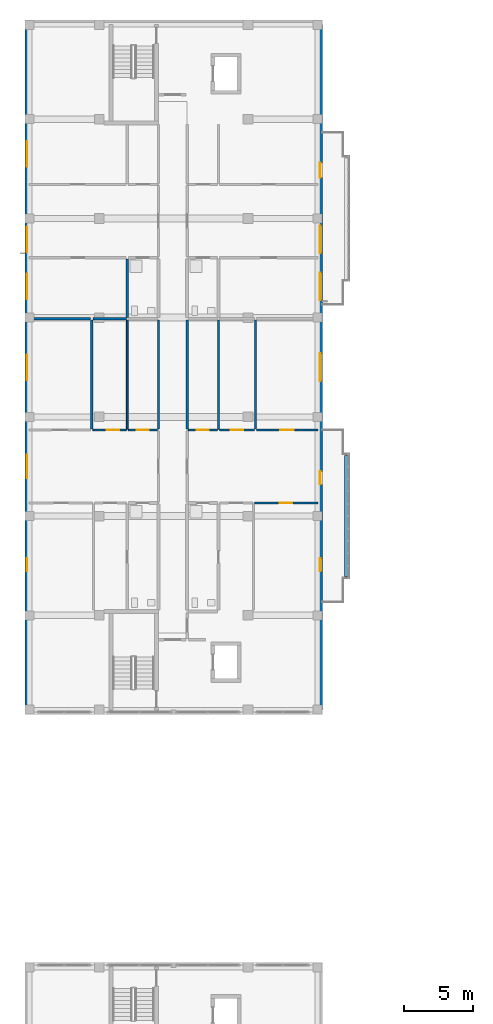
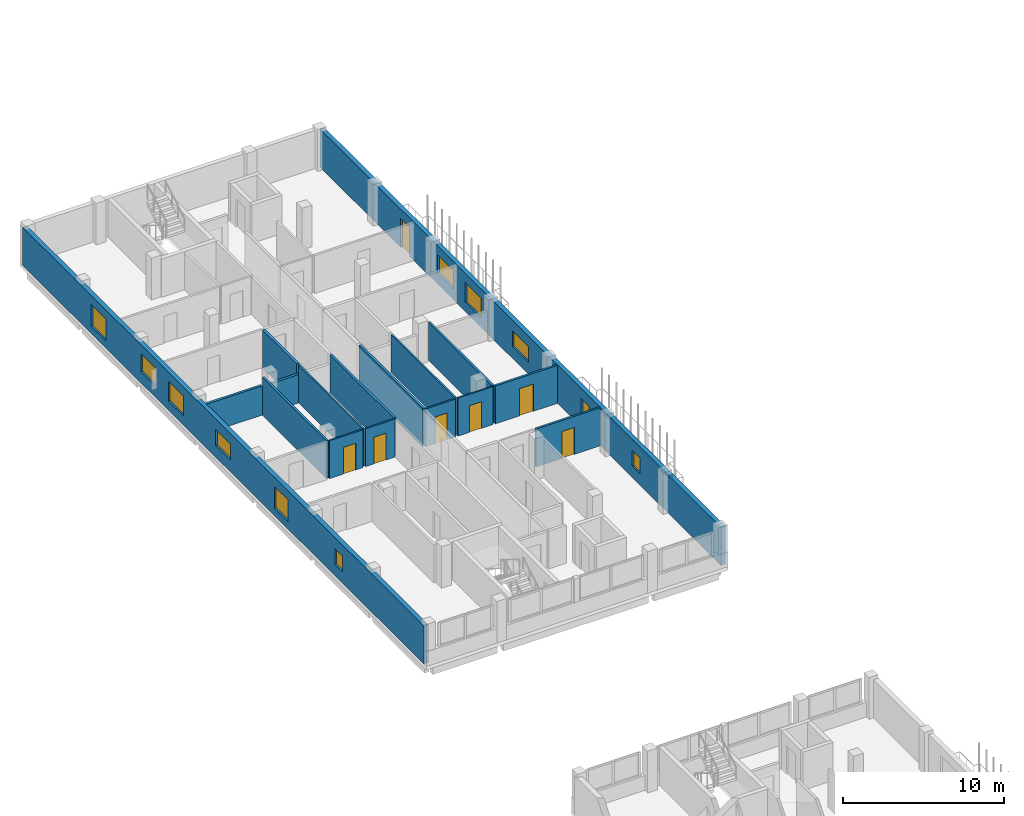
# One storey, part 28 of 51: 18 walls, 10 windows, 8 doors, 18 openings.
"""IFC4 building model written with IfcOpenShell, lengths in metres."""

from ifc_helpers import new_model, si_unit, derived_unit, direction, frame, frame_2d, origin, place, context, subcontext, project, spatial, rectangle, extrude, material, layer, layer_set, type_object, element, fill, save


model = new_model("IFC4")

# Units and contexts
model_context = context("Model", 3, precision=1e-05, world=origin(), true_north=direction((0.0, 1.0)))
body_context = subcontext(model_context, "Body", "Model", "MODEL_VIEW")
ifc_project = project(units=[si_unit("LENGTHUNIT", "METRE"), si_unit("AREAUNIT", "SQUARE_METRE"), si_unit("VOLUMEUNIT", "CUBIC_METRE"), si_unit("PLANEANGLEUNIT", "RADIAN"), si_unit("MASSUNIT", "GRAM", prefix="KILO"), derived_unit("THERMALTRANSMITTANCEUNIT", [(si_unit("MASSUNIT", "GRAM", prefix="KILO"), 1), (si_unit("TIMEUNIT", "SECOND"), -3), (si_unit("THERMODYNAMICTEMPERATUREUNIT", "KELVIN"), -1)])], contexts=[model_context])

# Site, building, storey
site_placement = place(None, origin())
site = spatial("IfcSite", under=ifc_project, at=site_placement, CompositionType="ELEMENT")
building_placement = place(site_placement, origin())
building = spatial("IfcBuilding", under=site, at=building_placement, Name="Ochrekiln Boulevard Commons", CompositionType="ELEMENT")
storey_placement = place(building_placement, frame((0.0, 0.0, 15.22509765625)))
storey = spatial("IfcBuildingStorey", under=building, at=storey_placement, Name="L04", CompositionType="ELEMENT", Elevation=15.22509765625)

# Wall, openings, windows
ifc_material_1 = material(Name="Desert ochre clinker brick masonry ASTM C216 Grade SW", Category="masonry")
ifc_layer_1 = layer(ifc_material_1, 0.320068359375)
ifc_layer_set_1 = layer_set([ifc_layer_1], Name="Desert ochre clinker brick masonry ASTM C216 Grade SW")
wall_type_1 = type_object("IfcWallType", Name="WL-EXT-OCHRE-320", PredefinedType="SOLIDWALL", material=ifc_layer_set_1)
wall_1_placement = place(storey_placement, frame((0.159912109375, 68.719970703125, 0.0), z_axis=(0.0, 0.0, 1.0), x_axis=(0.0, 1.0, 0.0)))
wall_1 = element("IfcWall", 1, at=wall_1_placement, inside=storey, type_object=wall_type_1, Name="Block A L04 W Exterior Wall", PredefinedType="SOLIDWALL", context=body_context, shape_type="SweptSolid", body=[
    extrude(rectangle(XDim=49.760009765625, YDim=0.320068359375, at=frame_2d((24.8798828125, 0.0))), origin(), (0.0, 0.0, 1.0), 2.889892578125),
])
opening_1_placement = place(wall_1_placement, frame((16.820068359375, 0.0, 0.554931640625)))
opening_1 = element("IfcOpeningElement", 2, at=opening_1_placement, cuts=wall_1, Name="Opening W-39", PredefinedType="OPENING", context=body_context, shape_type="SweptSolid", body=[
    extrude(rectangle(XDim=1.719970703125, YDim=1.64990234375, at=frame_2d((0.85986328125, 0.824951171875))), frame((0.0, 0.169921875, 0.0), z_axis=(0.0, -1.0, 0.0), x_axis=(1.0, 0.0, 0.0)), (0.0, 0.0, 1.0), 0.340087890625),
])
opening_2_placement = place(wall_1_placement, frame((10.070068359375, 0.0, 0.85009765625)))
opening_2 = element("IfcOpeningElement", 3, at=opening_2_placement, cuts=wall_1, Name="Opening W-01", PredefinedType="OPENING", context=body_context, shape_type="SweptSolid", body=[
    extrude(rectangle(XDim=0.949951171875, YDim=1.199951171875, at=frame_2d((0.47509765625, 0.60009765625))), frame((0.0, 0.169921875, 0.0), z_axis=(0.0, -1.0, 0.0), x_axis=(1.0, 0.0, 0.0)), (0.0, 0.0, 1.0), 0.340087890625),
])
opening_3_placement = place(wall_1_placement, frame((23.955078125, 0.0, 0.89990234375)))
opening_3 = element("IfcOpeningElement", 4, at=opening_3_placement, cuts=wall_1, Name="Opening W-41", PredefinedType="OPENING", context=body_context, shape_type="SweptSolid", body=[
    extrude(rectangle(XDim=1.85009765625, YDim=1.199951171875, at=frame_2d((0.925048828125, 0.60009765625))), frame((0.0, 0.169921875, 0.0), z_axis=(0.0, -1.0, 0.0), x_axis=(1.0, 0.0, 0.0)), (0.0, 0.0, 1.0), 0.340087890625),
])
opening_4_placement = place(wall_1_placement, frame((33.23388671875, 0.0, 0.85498046875)))
opening_4 = element("IfcOpeningElement", 5, at=opening_4_placement, cuts=wall_1, Name="Opening W-42", PredefinedType="OPENING", context=body_context, shape_type="SweptSolid", body=[
    extrude(rectangle(XDim=1.85009765625, YDim=1.35009765625, at=frame_2d((0.925048828125, 0.675048828125))), frame((0.0, 0.169921875, 0.0), z_axis=(0.0, -1.0, 0.0), x_axis=(1.0, 0.0, 0.0)), (0.0, 0.0, 1.0), 0.340087890625),
])
opening_5_placement = place(wall_1_placement, frame((29.823974609375, 0.0, 0.705078125)))
opening_5 = element("IfcOpeningElement", 6, at=opening_5_placement, cuts=wall_1, Name="Opening W-43", PredefinedType="OPENING", context=body_context, shape_type="SweptSolid", body=[
    extrude(rectangle(XDim=1.85009765625, YDim=1.5, at=frame_2d((0.925048828125, 0.75))), frame((0.0, 0.169921875, 0.0), z_axis=(0.0, -1.0, 0.0), x_axis=(1.0, 0.0, 0.0)), (0.0, 0.0, 1.0), 0.340087890625),
])
opening_6_placement = place(wall_1_placement, frame((39.427001953125, 0.0, 0.554931640625)))
opening_6 = element("IfcOpeningElement", 7, at=opening_6_placement, cuts=wall_1, Name="Opening W-44", PredefinedType="OPENING", context=body_context, shape_type="SweptSolid", body=[
    extrude(rectangle(XDim=1.85009765625, YDim=1.64990234375, at=frame_2d((0.925048828125, 0.824951171875))), frame((0.0, 0.169921875, 0.0), z_axis=(0.0, -1.0, 0.0), x_axis=(1.0, 0.0, 0.0)), (0.0, 0.0, 1.0), 0.340087890625),
])
ifc_material_2 = material(Name="Thermally broken aluminium-clad oak frame", Category="aluminium")
window_type_1 = type_object("IfcWindowType", Name="WIN-EXT-01", PartitioningType="SINGLE_PANEL", PredefinedType="WINDOW", material=ifc_material_2)
window_1_placement = place(opening_2_placement, origin())
window_1 = element("IfcWindow", 8, at=window_1_placement, inside=storey, type_object=window_type_1, Name="Block A L04 Punched Masonry Window W-01", OverallHeight=1.199951171875, OverallWidth=0.949951171875, PartitioningType="SINGLE_PANEL", PredefinedType="WINDOW", context=body_context, shape_type="SweptSolid", body=[
    extrude(rectangle(XDim=0.949951171875, YDim=1.199951171875, at=frame_2d((0.47509765625, 0.60009765625))), frame((0.0, 0.030029296875, 0.0), z_axis=(0.0, -1.0, 0.0), x_axis=(1.0, 0.0, 0.0)), (0.0, 0.0, 1.0), 0.06005859375),
])
fill(opening_2, window_1)
window_type_2 = type_object("IfcWindowType", Name="WIN-EXT-39", PartitioningType="DOUBLE_PANEL_VERTICAL", PredefinedType="WINDOW", material=ifc_material_2)
window_2_placement = place(opening_1_placement, origin())
window_2 = element("IfcWindow", 9, at=window_2_placement, inside=storey, type_object=window_type_2, Name="Block A L04 Punched Masonry Window W-39", OverallHeight=1.64990234375, OverallWidth=1.719970703125, PartitioningType="DOUBLE_PANEL_VERTICAL", PredefinedType="WINDOW", context=body_context, shape_type="SweptSolid", body=[
    extrude(rectangle(XDim=1.719970703125, YDim=1.64990234375, at=frame_2d((0.85986328125, 0.824951171875))), frame((0.0, 0.030029296875, 0.0), z_axis=(0.0, -1.0, 0.0), x_axis=(1.0, 0.0, 0.0)), (0.0, 0.0, 1.0), 0.06005859375),
])
fill(opening_1, window_2)
window_type_3 = type_object("IfcWindowType", Name="WIN-EXT-41", PartitioningType="DOUBLE_PANEL_VERTICAL", PredefinedType="WINDOW", material=ifc_material_2)
window_3_placement = place(opening_3_placement, origin())
window_3 = element("IfcWindow", 10, at=window_3_placement, inside=storey, type_object=window_type_3, Name="Block A L04 Punched Masonry Window W-41", OverallHeight=1.199951171875, OverallWidth=1.85009765625, PartitioningType="DOUBLE_PANEL_VERTICAL", PredefinedType="WINDOW", context=body_context, shape_type="SweptSolid", body=[
    extrude(rectangle(XDim=1.85009765625, YDim=1.199951171875, at=frame_2d((0.925048828125, 0.60009765625))), frame((0.0, 0.030029296875, 0.0), z_axis=(0.0, -1.0, 0.0), x_axis=(1.0, 0.0, 0.0)), (0.0, 0.0, 1.0), 0.06005859375),
])
fill(opening_3, window_3)
window_type_4 = type_object("IfcWindowType", Name="WIN-EXT-42", PartitioningType="DOUBLE_PANEL_VERTICAL", PredefinedType="WINDOW", material=ifc_material_2)
window_4_placement = place(opening_4_placement, origin())
window_4 = element("IfcWindow", 11, at=window_4_placement, inside=storey, type_object=window_type_4, Name="Block A L04 Punched Masonry Window W-42", OverallHeight=1.35009765625, OverallWidth=1.85009765625, PartitioningType="DOUBLE_PANEL_VERTICAL", PredefinedType="WINDOW", context=body_context, shape_type="SweptSolid", body=[
    extrude(rectangle(XDim=1.85009765625, YDim=1.35009765625, at=frame_2d((0.925048828125, 0.675048828125))), frame((0.0, 0.030029296875, 0.0), z_axis=(0.0, -1.0, 0.0), x_axis=(1.0, 0.0, 0.0)), (0.0, 0.0, 1.0), 0.06005859375),
])
fill(opening_4, window_4)
window_type_5 = type_object("IfcWindowType", Name="WIN-EXT-43", PartitioningType="DOUBLE_PANEL_VERTICAL", PredefinedType="WINDOW", material=ifc_material_2)
window_5_placement = place(opening_5_placement, origin())
window_5 = element("IfcWindow", 12, at=window_5_placement, inside=storey, type_object=window_type_5, Name="Block A L04 Punched Masonry Window W-43", OverallHeight=1.5, OverallWidth=1.85009765625, PartitioningType="DOUBLE_PANEL_VERTICAL", PredefinedType="WINDOW", context=body_context, shape_type="SweptSolid", body=[
    extrude(rectangle(XDim=1.85009765625, YDim=1.5, at=frame_2d((0.925048828125, 0.75))), frame((0.0, 0.030029296875, 0.0), z_axis=(0.0, -1.0, 0.0), x_axis=(1.0, 0.0, 0.0)), (0.0, 0.0, 1.0), 0.06005859375),
])
fill(opening_5, window_5)
window_type_6 = type_object("IfcWindowType", Name="WIN-EXT-44", PartitioningType="DOUBLE_PANEL_VERTICAL", PredefinedType="WINDOW", material=ifc_material_2)
window_6_placement = place(opening_6_placement, origin())
window_6 = element("IfcWindow", 13, at=window_6_placement, inside=storey, type_object=window_type_6, Name="Block A L04 Punched Masonry Window W-44", OverallHeight=1.64990234375, OverallWidth=1.85009765625, PartitioningType="DOUBLE_PANEL_VERTICAL", PredefinedType="WINDOW", context=body_context, shape_type="SweptSolid", body=[
    extrude(rectangle(XDim=1.85009765625, YDim=1.64990234375, at=frame_2d((0.925048828125, 0.824951171875))), frame((0.0, 0.030029296875, 0.0), z_axis=(0.0, -1.0, 0.0), x_axis=(1.0, 0.0, 0.0)), (0.0, 0.0, 1.0), 0.06005859375),
])
fill(opening_6, window_6)

# Wall, openings, doors, windows
wall_2_placement = place(storey_placement, frame((21.43994140625, 68.719970703125, 0.0), z_axis=(0.0, 0.0, 1.0), x_axis=(0.0, 1.0, 0.0)))
wall_2 = element("IfcWall", 14, at=wall_2_placement, inside=storey, type_object=wall_type_1, Name="Block A L04 E Exterior Wall", PredefinedType="SOLIDWALL", context=body_context, shape_type="SweptSolid", body=[
    extrude(rectangle(XDim=49.760009765625, YDim=0.320068359375, at=frame_2d((24.8798828125, 0.0))), origin(), (0.0, 0.0, 1.0), 2.889892578125),
])
opening_7_placement = place(wall_2_placement, frame((16.3798828125, 0.0, 0.0)))
opening_7 = element("IfcOpeningElement", 15, at=opening_7_placement, cuts=wall_2, Name="Opening D-L04-BL010", PredefinedType="OPENING", context=body_context, shape_type="SweptSolid", body=[
    extrude(rectangle(XDim=0.949951171875, YDim=2.14990234375, at=frame_2d((0.47509765625, 1.074951171875))), frame((0.0, 0.169921875, 0.0), z_axis=(0.0, -1.0, 0.0), x_axis=(1.0, 0.0, 0.0)), (0.0, 0.0, 1.0), 0.340087890625),
])
opening_8_placement = place(wall_2_placement, frame((10.070068359375, 0.0, 0.85009765625)))
opening_8 = element("IfcOpeningElement", 16, at=opening_8_placement, cuts=wall_2, Name="Opening W-01", PredefinedType="OPENING", context=body_context, shape_type="SweptSolid", body=[
    extrude(rectangle(XDim=0.949951171875, YDim=1.199951171875, at=frame_2d((0.47509765625, 0.60009765625))), frame((0.0, 0.169921875, 0.0), z_axis=(0.0, -1.0, 0.0), x_axis=(1.0, 0.0, 0.0)), (0.0, 0.0, 1.0), 0.340087890625),
])
opening_9_placement = place(wall_2_placement, frame((23.8798828125, 0.0, 0.89990234375)))
opening_9 = element("IfcOpeningElement", 17, at=opening_9_placement, cuts=wall_2, Name="Opening W-46", PredefinedType="OPENING", context=body_context, shape_type="SweptSolid", body=[
    extrude(rectangle(XDim=2.0, YDim=1.199951171875, at=frame_2d((1.0, 0.60009765625))), frame((0.0, 0.169921875, 0.0), z_axis=(0.0, -1.0, 0.0), x_axis=(1.0, 0.0, 0.0)), (0.0, 0.0, 1.0), 0.340087890625),
])
opening_10_placement = place(wall_2_placement, frame((33.158935546875, 0.0, 0.85498046875)))
opening_10 = element("IfcOpeningElement", 18, at=opening_10_placement, cuts=wall_2, Name="Opening W-47", PredefinedType="OPENING", context=body_context, shape_type="SweptSolid", body=[
    extrude(rectangle(XDim=2.0, YDim=1.35009765625, at=frame_2d((1.0, 0.675048828125))), frame((0.0, 0.169921875, 0.0), z_axis=(0.0, -1.0, 0.0), x_axis=(1.0, 0.0, 0.0)), (0.0, 0.0, 1.0), 0.340087890625),
])
opening_11_placement = place(wall_2_placement, frame((29.7490234375, 0.0, 0.705078125)))
opening_11 = element("IfcOpeningElement", 19, at=opening_11_placement, cuts=wall_2, Name="Opening W-48", PredefinedType="OPENING", context=body_context, shape_type="SweptSolid", body=[
    extrude(rectangle(XDim=2.0, YDim=1.5, at=frame_2d((1.0, 0.75))), frame((0.0, 0.169921875, 0.0), z_axis=(0.0, -1.0, 0.0), x_axis=(1.0, 0.0, 0.0)), (0.0, 0.0, 1.0), 0.340087890625),
])
opening_12_placement = place(wall_2_placement, frame((38.635986328125, 0.0, 0.0)))
opening_12 = element("IfcOpeningElement", 20, at=opening_12_placement, cuts=wall_2, Name="Opening D-L04-BL011", PredefinedType="OPENING", context=body_context, shape_type="SweptSolid", body=[
    extrude(rectangle(XDim=1.080078125, YDim=2.179931640625, at=frame_2d((0.5400390625, 1.08984375))), frame((0.0, 0.169921875, 0.0), z_axis=(0.0, -1.0, 0.0), x_axis=(1.0, 0.0, 0.0)), (0.0, 0.0, 1.0), 0.340087890625),
])
door_type_1 = type_object("IfcDoorType", Name="DR-EXT-BAL-095", OperationType="NOTDEFINED", PredefinedType="DOOR", material=ifc_material_2)
door_1_placement = place(opening_7_placement, frame((0.949951171875, 0.0, 0.0), z_axis=(0.0, 0.0, 1.0), x_axis=(-1.0, 0.0, 0.0)))
door_1 = element("IfcDoor", 21, at=door_1_placement, inside=storey, type_object=door_type_1, Name="Block A L04 Glazed Balcony Patio Door", OperationType="SINGLE_SWING_LEFT", OverallHeight=2.14990234375, OverallWidth=0.949951171875, PredefinedType="DOOR", context=body_context, shape_type="SweptSolid", body=[
    extrude(rectangle(XDim=0.949951171875, YDim=2.14990234375, at=frame_2d((0.47509765625, 1.074951171875))), frame((0.0, 0.02490234375, 0.0), z_axis=(0.0, -1.0, 0.0), x_axis=(1.0, 0.0, 0.0)), (0.0, 0.0, 1.0), 0.050048828125),
])
fill(opening_7, door_1)
door_type_2 = type_object("IfcDoorType", Name="DR-EXT-BAL-108", OperationType="NOTDEFINED", PredefinedType="DOOR", material=ifc_material_2)
door_2_placement = place(opening_12_placement, frame((1.080078125, 0.0, 0.0), z_axis=(0.0, 0.0, 1.0), x_axis=(-1.0, 0.0, 0.0)))
door_2 = element("IfcDoor", 22, at=door_2_placement, inside=storey, type_object=door_type_2, Name="Block A L04 Glazed Balcony Patio Door", OperationType="SINGLE_SWING_RIGHT", OverallHeight=2.179931640625, OverallWidth=1.080078125, PredefinedType="DOOR", context=body_context, shape_type="SweptSolid", body=[
    extrude(rectangle(XDim=1.080078125, YDim=2.179931640625, at=frame_2d((0.5400390625, 1.08984375))), frame((0.0, 0.02490234375, 0.0), z_axis=(0.0, -1.0, 0.0), x_axis=(1.0, 0.0, 0.0)), (0.0, 0.0, 1.0), 0.050048828125),
])
fill(opening_12, door_2)
window_7_placement = place(opening_8_placement, origin())
window_7 = element("IfcWindow", 23, at=window_7_placement, inside=storey, type_object=window_type_1, Name="Block A L04 Punched Masonry Window W-01", OverallHeight=1.199951171875, OverallWidth=0.949951171875, PartitioningType="SINGLE_PANEL", PredefinedType="WINDOW", context=body_context, shape_type="SweptSolid", body=[
    extrude(rectangle(XDim=0.949951171875, YDim=1.199951171875, at=frame_2d((0.47509765625, 0.60009765625))), frame((0.0, 0.030029296875, 0.0), z_axis=(0.0, -1.0, 0.0), x_axis=(1.0, 0.0, 0.0)), (0.0, 0.0, 1.0), 0.06005859375),
])
fill(opening_8, window_7)
window_type_7 = type_object("IfcWindowType", Name="WIN-EXT-46", PartitioningType="DOUBLE_PANEL_VERTICAL", PredefinedType="WINDOW", material=ifc_material_2)
window_8_placement = place(opening_9_placement, origin())
window_8 = element("IfcWindow", 24, at=window_8_placement, inside=storey, type_object=window_type_7, Name="Block A L04 Punched Masonry Window W-46", OverallHeight=1.199951171875, OverallWidth=2.0, PartitioningType="DOUBLE_PANEL_VERTICAL", PredefinedType="WINDOW", context=body_context, shape_type="SweptSolid", body=[
    extrude(rectangle(XDim=2.0, YDim=1.199951171875, at=frame_2d((1.0, 0.60009765625))), frame((0.0, 0.030029296875, 0.0), z_axis=(0.0, -1.0, 0.0), x_axis=(1.0, 0.0, 0.0)), (0.0, 0.0, 1.0), 0.06005859375),
])
fill(opening_9, window_8)
window_type_8 = type_object("IfcWindowType", Name="WIN-EXT-47", PartitioningType="DOUBLE_PANEL_VERTICAL", PredefinedType="WINDOW", material=ifc_material_2)
window_9_placement = place(opening_10_placement, origin())
window_9 = element("IfcWindow", 25, at=window_9_placement, inside=storey, type_object=window_type_8, Name="Block A L04 Punched Masonry Window W-47", OverallHeight=1.35009765625, OverallWidth=2.0, PartitioningType="DOUBLE_PANEL_VERTICAL", PredefinedType="WINDOW", context=body_context, shape_type="SweptSolid", body=[
    extrude(rectangle(XDim=2.0, YDim=1.35009765625, at=frame_2d((1.0, 0.675048828125))), frame((0.0, 0.030029296875, 0.0), z_axis=(0.0, -1.0, 0.0), x_axis=(1.0, 0.0, 0.0)), (0.0, 0.0, 1.0), 0.06005859375),
])
fill(opening_10, window_9)
window_type_9 = type_object("IfcWindowType", Name="WIN-EXT-48", PartitioningType="DOUBLE_PANEL_VERTICAL", PredefinedType="WINDOW", material=ifc_material_2)
window_10_placement = place(opening_11_placement, origin())
window_10 = element("IfcWindow", 26, at=window_10_placement, inside=storey, type_object=window_type_9, Name="Block A L04 Punched Masonry Window W-48", OverallHeight=1.5, OverallWidth=2.0, PartitioningType="DOUBLE_PANEL_VERTICAL", PredefinedType="WINDOW", context=body_context, shape_type="SweptSolid", body=[
    extrude(rectangle(XDim=2.0, YDim=1.5, at=frame_2d((1.0, 0.75))), frame((0.0, 0.030029296875, 0.0), z_axis=(0.0, -1.0, 0.0), x_axis=(1.0, 0.0, 0.0)), (0.0, 0.0, 1.0), 0.06005859375),
])
fill(opening_11, window_10)

# Walls
ifc_material_3 = material(Name="Moisture-resistant cementitious tile backer wall")
ifc_layer_2 = layer(ifc_material_3, 0.199951171875)
ifc_layer_set_2 = layer_set([ifc_layer_2], Name="Moisture-resistant cementitious tile backer wall")
wall_type_2 = type_object("IfcWallType", Name="WL-PLM-200", PredefinedType="PLUMBINGWALL", material=ifc_layer_set_2)
wall_3_placement = place(storey_placement, frame((7.43994140625, 97.2099609375, 0.0), z_axis=(0.0, 0.0, 1.0), x_axis=(0.0, 1.0, 0.0)))
element("IfcWall", 27, at=wall_3_placement, inside=storey, type_object=wall_type_2, Name="L04 Interior Wall W-PW200", PredefinedType="PLUMBINGWALL", context=body_context, shape_type="SweptSolid", body=[
    extrude(rectangle(XDim=4.257080078125, YDim=0.199951171875, at=frame_2d((2.12841796875, 0.0))), origin(), (0.0, 0.0, 1.0), 2.869873046875),
])
ifc_material_4 = material(Name="Glazed architectural terracotta ASTM C1405", Category="masonry")
ifc_layer_3 = layer(ifc_material_4, 0.25)
ifc_layer_set_3 = layer_set([ifc_layer_3], Name="Glazed architectural terracotta ASTM C1405")
wall_type_3 = type_object("IfcWallType", Name="WL-PLN-250", PredefinedType="PARAPET", material=ifc_layer_set_3)
wall_4_placement = place(storey_placement, frame((23.320068359375, 78.409912109375, 0.0), z_axis=(0.0, 0.0, 1.0), x_axis=(0.0, 1.0, 0.0)))
element("IfcWall", 28, at=wall_4_placement, inside=storey, type_object=wall_type_3, Name="Block A L04 Balcony Terracotta Planter Box 1", PredefinedType="PARAPET", context=body_context, shape_type="SweptSolid", body=[
    extrude(rectangle(XDim=8.780029296875, YDim=0.25, at=frame_2d((4.39013671875, 0.0))), origin(), (0.0, 0.0, 1.0), 0.22998046875),
])
ifc_material_5 = material(Name="Fire-rated Type X gypsum board on steel studs", Category="steel")
ifc_layer_4 = layer(ifc_material_5, 0.1650390625)
ifc_layer_set_4 = layer_set([ifc_layer_4], Name="Fire-rated Type X gypsum board on steel studs")
wall_type_4 = type_object("IfcWallType", Name="WL-PT-CORR-165", PredefinedType="PARTITIONING", material=ifc_layer_set_4)
for number, where, z_axis, x_axis, name in (
    (29, (9.7099609375, 89.1298828125, 0.0), (0.0, 0.0, 1.0), (0.0, 1.0, 0.0), "L04 Interior Wall W-PC165"),
    (30, (11.7900390625, 89.1298828125, 0.0), (0.0, 0.0, 1.0), (0.0, 1.0, 0.0), "L04 Interior Wall W-PC165"),
):
    element("IfcWall", number, at=place(storey_placement, frame(where, z_axis=z_axis, x_axis=x_axis)), inside=storey, type_object=wall_type_4, Name=name, PredefinedType="PARTITIONING", context=body_context, shape_type="SweptSolid", body=[
        extrude(rectangle(XDim=7.900146484375, YDim=0.1650390625, at=frame_2d((3.9501953125, 0.0))), origin(), (0.0, 0.0, 1.0), 2.869873046875),
    ])
ifc_layer_5 = layer(ifc_material_5, 0.179931640625)
ifc_layer_set_5 = layer_set([ifc_layer_5], Name="Fire-rated Type X gypsum board on steel studs")
wall_type_5 = type_object("IfcWallType", Name="WL-PT-DEM-180", PredefinedType="PARTITIONING", material=ifc_layer_set_5)
wall_5_placement = place(storey_placement, frame((0.320068359375, 97.1201171875, 0.0), z_axis=(0.0, 0.0, 1.0), x_axis=(1.0, 0.0, 0.0)))
element("IfcWall", 31, at=wall_5_placement, inside=storey, type_object=wall_type_5, Name="L04 Interior Wall W-PD180", PredefinedType="PARTITIONING", context=body_context, shape_type="SweptSolid", body=[
    extrude(rectangle(XDim=4.4599609375, YDim=0.179931640625, at=frame_2d((2.22998046875, 0.0))), origin(), (0.0, 0.0, 1.0), 2.2099609375),
])
wall_6_placement = place(storey_placement, frame((4.93994140625, 97.1201171875, 0.0), z_axis=(0.0, 0.0, 1.0), x_axis=(1.0, 0.0, 0.0)))
element("IfcWall", 32, at=wall_6_placement, inside=storey, type_object=wall_type_5, Name="L04 Interior Wall W-PD180", PredefinedType="PARTITIONING", context=body_context, shape_type="SweptSolid", body=[
    extrude(rectangle(XDim=2.43994140625, YDim=0.179931640625, at=frame_2d((1.219970703125, 0.0))), origin(), (0.0, 0.0, 1.0), 2.159912109375),
])

# Wall, opening, door
ifc_layer_6 = layer(ifc_material_5, 0.1201171875)
ifc_layer_set_6 = layer_set([ifc_layer_6], Name="Fire-rated Type X gypsum board on steel studs")
wall_type_6 = type_object("IfcWallType", Name="WL-PT-LGT-120", PredefinedType="PARTITIONING", material=ifc_layer_set_6)
wall_7_placement = place(storey_placement, frame((7.52001953125, 89.050048828125, 0.0), z_axis=(0.0, 0.0, 1.0), x_axis=(1.0, 0.0, 0.0)))
wall_7 = element("IfcWall", 33, at=wall_7_placement, inside=storey, type_object=wall_type_6, Name="L04 Interior Wall W-PL120", PredefinedType="PARTITIONING", context=body_context, shape_type="SweptSolid", body=[
    extrude(rectangle(XDim=2.10791015625, YDim=0.1201171875, at=frame_2d((1.053955078125, 0.0))), origin(), (0.0, 0.0, 1.0), 2.869873046875),
])
opening_13_placement = place(wall_7_placement, frame((0.610107421875, 0.0, 0.0)))
opening_13 = element("IfcOpeningElement", 34, at=opening_13_placement, cuts=wall_7, Name="Opening D-L04-563", PredefinedType="OPENING", context=body_context, shape_type="SweptSolid", body=[
    extrude(rectangle(XDim=0.8798828125, YDim=2.02001953125, at=frame_2d((0.43994140625, 1.010009765625))), frame((0.0, 0.070068359375, 0.0), z_axis=(0.0, -1.0, 0.0), x_axis=(1.0, 0.0, 0.0)), (0.0, 0.0, 1.0), 0.14013671875),
])
ifc_material_6 = material(Name="Solid core architectural oak door leaf")
door_type_3 = type_object("IfcDoorType", Name="DR-INT-KIT-088", OperationType="NOTDEFINED", PredefinedType="DOOR", material=ifc_material_6)
door_3_placement = place(opening_13_placement, origin())
door_3 = element("IfcDoor", 35, at=door_3_placement, inside=storey, type_object=door_type_3, Name="L04 Interior Door to Apartment Kitchen", OperationType="SINGLE_SWING_LEFT", OverallHeight=2.02001953125, OverallWidth=0.8798828125, PredefinedType="DOOR", context=body_context, shape_type="SweptSolid", body=[
    extrude(rectangle(XDim=0.8798828125, YDim=2.02001953125, at=frame_2d((0.43994140625, 1.010009765625))), frame((0.0, 0.02490234375, 0.0), z_axis=(0.0, -1.0, 0.0), x_axis=(1.0, 0.0, 0.0)), (0.0, 0.0, 1.0), 0.050048828125),
])
fill(opening_13, door_3)

wall_8_placement = place(storey_placement, frame((4.93994140625, 89.050048828125, 0.0), z_axis=(0.0, 0.0, 1.0), x_axis=(1.0, 0.0, 0.0)))
wall_8 = element("IfcWall", 36, at=wall_8_placement, inside=storey, type_object=wall_type_6, Name="L04 Interior Wall W-PL120", PredefinedType="PARTITIONING", context=body_context, shape_type="SweptSolid", body=[
    extrude(rectangle(XDim=2.420166015625, YDim=0.1201171875, at=frame_2d((1.2099609375, 0.0))), origin(), (0.0, 0.0, 1.0), 2.869873046875),
])
opening_14_placement = place(wall_8_placement, frame((1.02001953125, 0.0, 0.0)))
opening_14 = element("IfcOpeningElement", 37, at=opening_14_placement, cuts=wall_8, Name="Opening D-L04-567", PredefinedType="OPENING", context=body_context, shape_type="SweptSolid", body=[
    extrude(rectangle(XDim=0.8798828125, YDim=2.02001953125, at=frame_2d((0.43994140625, 1.010009765625))), frame((0.0, 0.070068359375, 0.0), z_axis=(0.0, -1.0, 0.0), x_axis=(1.0, 0.0, 0.0)), (0.0, 0.0, 1.0), 0.14013671875),
])
door_4_placement = place(opening_14_placement, origin())
door_4 = element("IfcDoor", 38, at=door_4_placement, inside=storey, type_object=door_type_3, Name="L04 Interior Door to Apartment Walk-In Wardrobe", OperationType="SINGLE_SWING_LEFT", OverallHeight=2.02001953125, OverallWidth=0.8798828125, PredefinedType="DOOR", context=body_context, shape_type="SweptSolid", body=[
    extrude(rectangle(XDim=0.8798828125, YDim=2.02001953125, at=frame_2d((0.43994140625, 1.010009765625))), frame((0.0, 0.02490234375, 0.0), z_axis=(0.0, -1.0, 0.0), x_axis=(1.0, 0.0, 0.0)), (0.0, 0.0, 1.0), 0.050048828125),
])
fill(opening_14, door_4)

# Wall
wall_9_placement = place(storey_placement, frame((7.43994140625, 89.110107421875, 0.0), z_axis=(0.0, 0.0, 1.0), x_axis=(0.0, 1.0, 0.0)))
element("IfcWall", 39, at=wall_9_placement, inside=storey, type_object=wall_type_6, Name="L04 Interior Wall W-PL120", PredefinedType="PARTITIONING", context=body_context, shape_type="SweptSolid", body=[
    extrude(rectangle(XDim=7.919921875, YDim=0.1201171875, at=frame_2d((3.9599609375, 0.0))), origin(), (0.0, 0.0, 1.0), 2.869873046875),
])

# Wall, opening, door
wall_10_placement = place(storey_placement, frame((11.8720703125, 89.050048828125, 0.0), z_axis=(0.0, 0.0, 1.0), x_axis=(1.0, 0.0, 0.0)))
wall_10 = element("IfcWall", 40, at=wall_10_placement, inside=storey, type_object=wall_type_6, Name="L04 Interior Wall W-PL120", PredefinedType="PARTITIONING", context=body_context, shape_type="SweptSolid", body=[
    extrude(rectangle(XDim=2.10791015625, YDim=0.1201171875, at=frame_2d((1.053955078125, 0.0))), origin(), (0.0, 0.0, 1.0), 2.869873046875),
])
opening_15_placement = place(wall_10_placement, frame((0.617919921875, 0.0, 0.0)))
opening_15 = element("IfcOpeningElement", 41, at=opening_15_placement, cuts=wall_10, Name="Opening D-L04-574", PredefinedType="OPENING", context=body_context, shape_type="SweptSolid", body=[
    extrude(rectangle(XDim=0.8798828125, YDim=2.02001953125, at=frame_2d((0.43994140625, 1.010009765625))), frame((0.0, 0.070068359375, 0.0), z_axis=(0.0, -1.0, 0.0), x_axis=(1.0, 0.0, 0.0)), (0.0, 0.0, 1.0), 0.14013671875),
])
door_5_placement = place(opening_15_placement, origin())
door_5 = element("IfcDoor", 42, at=door_5_placement, inside=storey, type_object=door_type_3, Name="L04 Interior Door to Apartment Kitchen", OperationType="SINGLE_SWING_RIGHT", OverallHeight=2.02001953125, OverallWidth=0.8798828125, PredefinedType="DOOR", context=body_context, shape_type="SweptSolid", body=[
    extrude(rectangle(XDim=0.8798828125, YDim=2.02001953125, at=frame_2d((0.43994140625, 1.010009765625))), frame((0.0, 0.02490234375, 0.0), z_axis=(0.0, -1.0, 0.0), x_axis=(1.0, 0.0, 0.0)), (0.0, 0.0, 1.0), 0.050048828125),
])
fill(opening_15, door_5)

wall_11_placement = place(storey_placement, frame((14.139892578125, 89.050048828125, 0.0), z_axis=(0.0, 0.0, 1.0), x_axis=(1.0, 0.0, 0.0)))
wall_11 = element("IfcWall", 43, at=wall_11_placement, inside=storey, type_object=wall_type_6, Name="L04 Interior Wall W-PL120", PredefinedType="PARTITIONING", context=body_context, shape_type="SweptSolid", body=[
    extrude(rectangle(XDim=2.52001953125, YDim=0.1201171875, at=frame_2d((1.260009765625, 0.0))), origin(), (0.0, 0.0, 1.0), 2.869873046875),
])
opening_16_placement = place(wall_11_placement, frame((0.820068359375, 0.0, 0.0)))
opening_16 = element("IfcOpeningElement", 44, at=opening_16_placement, cuts=wall_11, Name="Opening D-L04-578", PredefinedType="OPENING", context=body_context, shape_type="SweptSolid", body=[
    extrude(rectangle(XDim=0.8798828125, YDim=2.02001953125, at=frame_2d((0.43994140625, 1.010009765625))), frame((0.0, 0.070068359375, 0.0), z_axis=(0.0, -1.0, 0.0), x_axis=(1.0, 0.0, 0.0)), (0.0, 0.0, 1.0), 0.14013671875),
])
door_6_placement = place(opening_16_placement, origin())
door_6 = element("IfcDoor", 45, at=door_6_placement, inside=storey, type_object=door_type_3, Name="L04 Interior Door to Apartment Walk-In Wardrobe", OperationType="SINGLE_SWING_RIGHT", OverallHeight=2.02001953125, OverallWidth=0.8798828125, PredefinedType="DOOR", context=body_context, shape_type="SweptSolid", body=[
    extrude(rectangle(XDim=0.8798828125, YDim=2.02001953125, at=frame_2d((0.43994140625, 1.010009765625))), frame((0.0, 0.02490234375, 0.0), z_axis=(0.0, -1.0, 0.0), x_axis=(1.0, 0.0, 0.0)), (0.0, 0.0, 1.0), 0.050048828125),
])
fill(opening_16, door_6)

# Walls
wall_12_placement = place(storey_placement, frame((14.06005859375, 89.110107421875, 0.0), z_axis=(0.0, 0.0, 1.0), x_axis=(0.0, 1.0, 0.0)))
element("IfcWall", 46, at=wall_12_placement, inside=storey, type_object=wall_type_6, Name="L04 Interior Wall W-PL120", PredefinedType="PARTITIONING", context=body_context, shape_type="SweptSolid", body=[
    extrude(rectangle(XDim=7.919921875, YDim=0.1201171875, at=frame_2d((3.9599609375, 0.0))), origin(), (0.0, 0.0, 1.0), 2.869873046875),
])
ifc_layer_7 = layer(ifc_material_5, 0.14990234375)
ifc_layer_set_7 = layer_set([ifc_layer_7], Name="Fire-rated Type X gypsum board on steel studs")
wall_type_7 = type_object("IfcWallType", Name="WL-PT-STD-150", PredefinedType="PARTITIONING", material=ifc_layer_set_7)
wall_13_placement = place(storey_placement, frame((4.860107421875, 89.110107421875, 0.0), z_axis=(0.0, 0.0, 1.0), x_axis=(0.0, 1.0, 0.0)))
element("IfcWall", 47, at=wall_13_placement, inside=storey, type_object=wall_type_7, Name="L04 Interior Wall W-PS150", PredefinedType="PARTITIONING", context=body_context, shape_type="SweptSolid", body=[
    extrude(rectangle(XDim=7.919921875, YDim=0.14990234375, at=frame_2d((3.9599609375, 0.0))), origin(), (0.0, 0.0, 1.0), 2.869873046875),
])

# Wall, opening, door
wall_14_placement = place(storey_placement, frame((16.68701171875, 83.75, 0.0), z_axis=(0.0, 0.0, 1.0), x_axis=(1.0, 0.0, 0.0)))
wall_14 = element("IfcWall", 48, at=wall_14_placement, inside=storey, type_object=wall_type_7, Name="L04 Interior Wall W-PS150", PredefinedType="PARTITIONING", context=body_context, shape_type="SweptSolid", body=[
    extrude(rectangle(XDim=4.593017578125, YDim=0.14990234375, at=frame_2d((2.29638671875, 0.0))), origin(), (0.0, 0.0, 1.0), 2.869873046875),
])
opening_17_placement = place(wall_14_placement, frame((1.8310546875, 0.0, 0.0)))
opening_17 = element("IfcOpeningElement", 49, at=opening_17_placement, cuts=wall_14, Name="Opening D-L04-575", PredefinedType="OPENING", context=body_context, shape_type="SweptSolid", body=[
    extrude(rectangle(XDim=0.89990234375, YDim=2.0400390625, at=frame_2d((0.449951171875, 1.02001953125))), frame((0.0, 0.0849609375, 0.0), z_axis=(0.0, -1.0, 0.0), x_axis=(1.0, 0.0, 0.0)), (0.0, 0.0, 1.0), 0.169921875),
])
door_type_4 = type_object("IfcDoorType", Name="DR-INT-BED-090", OperationType="NOTDEFINED", PredefinedType="DOOR", material=ifc_material_6)
door_7_placement = place(opening_17_placement, frame((0.89990234375, 0.0, 0.0), z_axis=(0.0, 0.0, 1.0), x_axis=(-1.0, 0.0, 0.0)))
door_7 = element("IfcDoor", 50, at=door_7_placement, inside=storey, type_object=door_type_4, Name="L04 Interior Door to Primary Apartment Bedroom", OperationType="SINGLE_SWING_LEFT", OverallHeight=2.0400390625, OverallWidth=0.89990234375, PredefinedType="DOOR", context=body_context, shape_type="SweptSolid", body=[
    extrude(rectangle(XDim=0.89990234375, YDim=2.0400390625, at=frame_2d((0.449951171875, 1.02001953125))), frame((0.0, 0.02490234375, 0.0), z_axis=(0.0, -1.0, 0.0), x_axis=(1.0, 0.0, 0.0)), (0.0, 0.0, 1.0), 0.050048828125),
])
fill(opening_17, door_7)

wall_15_placement = place(storey_placement, frame((16.820068359375, 89.050048828125, 0.0), z_axis=(0.0, 0.0, 1.0), x_axis=(1.0, 0.0, 0.0)))
wall_15 = element("IfcWall", 51, at=wall_15_placement, inside=storey, type_object=wall_type_7, Name="L04 Interior Wall W-PS150", PredefinedType="PARTITIONING", context=body_context, shape_type="SweptSolid", body=[
    extrude(rectangle(XDim=4.4599609375, YDim=0.14990234375, at=frame_2d((2.22998046875, 0.0))), origin(), (0.0, 0.0, 1.0), 2.869873046875),
])
opening_18_placement = place(wall_15_placement, frame((1.715087890625, 0.0, 0.0)))
opening_18 = element("IfcOpeningElement", 52, at=opening_18_placement, cuts=wall_15, Name="Opening D-L04-577", PredefinedType="OPENING", context=body_context, shape_type="SweptSolid", body=[
    extrude(rectangle(XDim=1.0, YDim=2.06005859375, at=frame_2d((0.5, 1.030029296875))), frame((0.0, 0.0849609375, 0.0), z_axis=(0.0, -1.0, 0.0), x_axis=(1.0, 0.0, 0.0)), (0.0, 0.0, 1.0), 0.169921875),
])
door_type_5 = type_object("IfcDoorType", Name="DR-INT-BED-100", OperationType="NOTDEFINED", PredefinedType="DOOR", material=ifc_material_6)
door_8_placement = place(opening_18_placement, origin())
door_8 = element("IfcDoor", 53, at=door_8_placement, inside=storey, type_object=door_type_5, Name="L04 Interior Door to Secondary Apartment Bedroom", OperationType="SINGLE_SWING_LEFT", OverallHeight=2.06005859375, OverallWidth=1.0, PredefinedType="DOOR", context=body_context, shape_type="SweptSolid", body=[
    extrude(rectangle(XDim=1.0, YDim=2.06005859375, at=frame_2d((0.5, 1.030029296875))), frame((0.0, 0.02490234375, 0.0), z_axis=(0.0, -1.0, 0.0), x_axis=(1.0, 0.0, 0.0)), (0.0, 0.0, 1.0), 0.050048828125),
])
fill(opening_18, door_8)

# Wall
wall_16_placement = place(storey_placement, frame((16.739990234375, 89.110107421875, 0.0), z_axis=(0.0, 0.0, 1.0), x_axis=(0.0, 1.0, 0.0)))
element("IfcWall", 54, at=wall_16_placement, inside=storey, type_object=wall_type_7, Name="L04 Interior Wall W-PS150", PredefinedType="PARTITIONING", context=body_context, shape_type="SweptSolid", body=[
    extrude(rectangle(XDim=7.919921875, YDim=0.14990234375, at=frame_2d((3.9599609375, 0.0))), origin(), (0.0, 0.0, 1.0), 2.869873046875),
])

save(model, "model.ifc")
